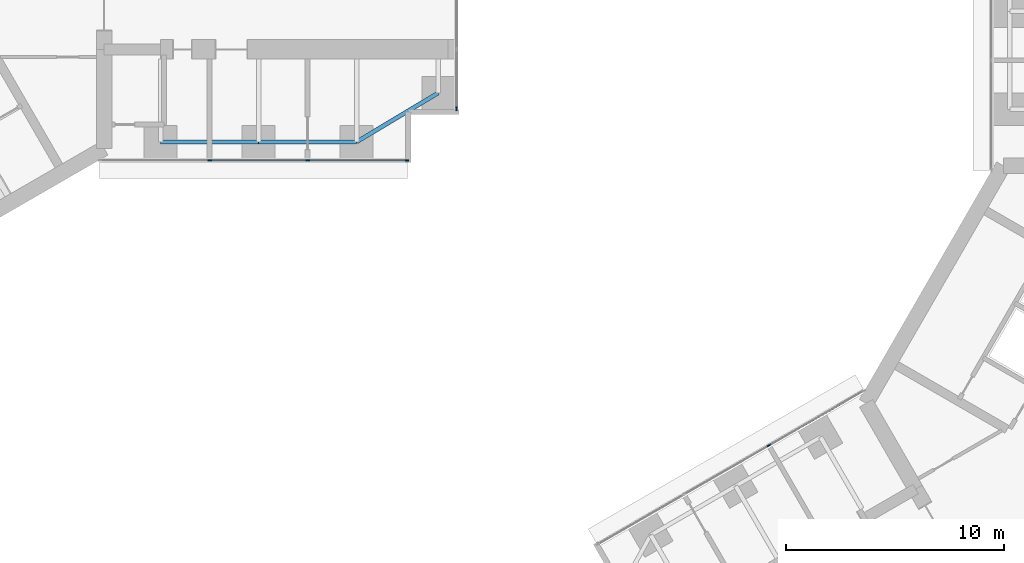
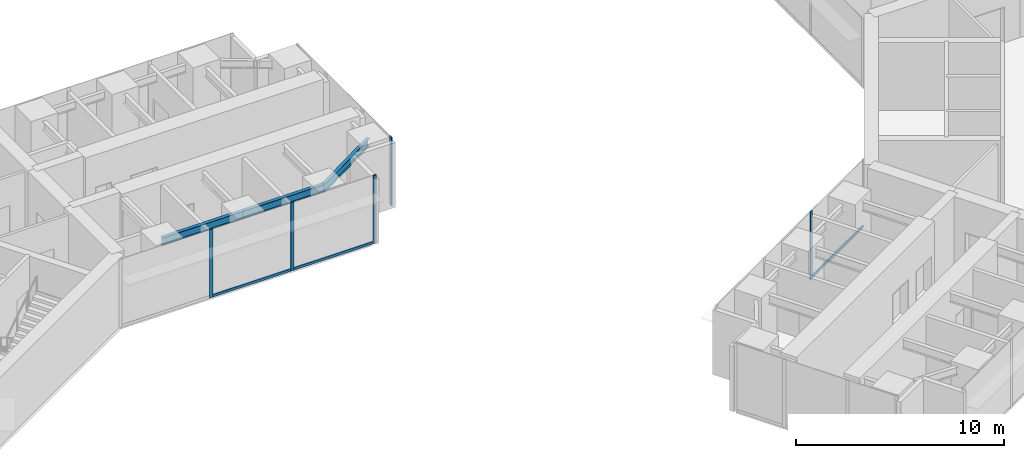
# One storey, part 5 of 22: 8 members, 3 beams, 3 elements without a shape of their own.
"""IFC4 building model written with IfcOpenShell, lengths in metres."""

from ifc_helpers import new_model, si_unit, direction, frame, origin, origin_2d, place, context, subcontext, project, spatial, rectangle, i_section, extrude, material, material_profile, profile_set, type_object, element, aggregate, save


model = new_model("IFC4")

# Units and contexts
model_context = context("Model", 3, precision=1e-05, world=origin(), true_north=direction((0.0, 1.0)))
body_context = subcontext(model_context, "Body", "Model", "MODEL_VIEW")
ifc_project = project(units=[si_unit("LENGTHUNIT", "METRE"), si_unit("AREAUNIT", "SQUARE_METRE"), si_unit("VOLUMEUNIT", "CUBIC_METRE"), si_unit("PLANEANGLEUNIT", "RADIAN"), si_unit("MASSUNIT", "GRAM", prefix="KILO")], contexts=[model_context])

# Site, building, storey
site_placement = place(None, origin())
site = spatial("IfcSite", under=ifc_project, at=site_placement, CompositionType="ELEMENT")
building_placement = place(site_placement, origin())
building = spatial("IfcBuilding", under=site, at=building_placement, Name="Upepo Twin Towers", CompositionType="ELEMENT")
storey_placement = place(building_placement, frame((0.0, 0.0, 40.5)))
storey = spatial("IfcBuildingStorey", under=building, at=storey_placement, Name="L09", CompositionType="ELEMENT", Elevation=40.5)

# Beams
ifc_material_1 = material(Name="Steel S355", Category="steel")
ifc_material_profile_1 = material_profile(ifc_material_1, i_section(OverallWidth=0.1904296875, OverallDepth=0.45703125, WebThickness=0.009033203125, FlangeThickness=0.014404296875, FilletRadius=0.01025390625, at=origin_2d()), Name="UB 457x191x74")
ifc_profile_set_1 = profile_set([ifc_material_profile_1], Name="Steel S355")
beam_type = type_object("IfcBeamType", Name="Beam UB 457x191x74", PredefinedType="BEAM", material=ifc_profile_set_1)
for number, where, z_axis, x_axis, name in (
    (1, (13.5, -6.0, 3.571533203125), (1.0, 0.0, 0.0), (0.0, 1.0, 0.0), "T1 edge beam AR 13.5-18.0"),
    (2, (18.0, -6.0, 3.571533203125), (1.0, 0.0, 0.0), (0.0, 1.0, 0.0), "T1 edge beam AR 18.0-22.5"),
):
    element("IfcBeam", number, at=place(storey_placement, frame(where, z_axis=z_axis, x_axis=x_axis)), inside=storey, type_object=beam_type, Name=name, PredefinedType="BEAM", context=body_context, shape_type="SweptSolid", body=[
        extrude(i_section(OverallWidth=0.1904296875, OverallDepth=0.45703125, WebThickness=0.009033203125, FlangeThickness=0.014404296875, FilletRadius=0.01025390625, at=origin_2d()), origin(), (0.0, 0.0, 1.0), 4.5),
    ])
beam_placement = place(storey_placement, frame((22.5, -6.0, 3.571533203125), z_axis=(0.857492925713, 0.514495755428, 0.0), x_axis=(-0.514495755428, 0.857492925713, 0.0)))
element("IfcBeam", 3, at=beam_placement, inside=storey, type_object=beam_type, Name="T1 nose edge beam AR", PredefinedType="BEAM", context=body_context, shape_type="SweptSolid", body=[
    extrude(i_section(OverallWidth=0.1904296875, OverallDepth=0.45703125, WebThickness=0.009033203125, FlangeThickness=0.014404296875, FilletRadius=0.01025390625, at=origin_2d()), origin(), (0.0, 0.0, 1.0), 4.373291015625),
])

# Curtain wall, members
ifc_material_2 = material(Name="Aluminium and fritted glass", Category="aluminium")
curtain_wall_type = type_object("IfcCurtainWallType", Name="Tower curtain wall TW1, fritted glass", PredefinedType="NOTDEFINED", material=ifc_material_2)
curtain_wall_1_placement = place(storey_placement, origin())
curtain_wall_1 = element("IfcCurtainWall", 4, at=curtain_wall_1_placement, inside=storey, type_object=curtain_wall_type, Name="T1 L09 wing A flank R curtain wall", PredefinedType="NOTDEFINED")
ifc_material_3 = material(Name="Aluminium mullion", Category="aluminium")
ifc_material_profile_2 = material_profile(ifc_material_3, rectangle(XDim=0.06494140625, YDim=0.179931640625, at=origin_2d()), Name="MULLION 65x180")
ifc_profile_set_2 = profile_set([ifc_material_profile_2], Name="Aluminium mullion")
member_type_1 = type_object("IfcMemberType", Name="Mullion 65x180 TW1", PredefinedType="MULLION", material=ifc_profile_set_2)
member_1_placement = place(storey_placement, frame((24.8173828125, -6.85009765625, 0.0), z_axis=(0.0, 0.0, 1.0), x_axis=(0.0, -1.0, 0.0)))
member_1 = element("IfcMember", 5, at=member_1_placement, type_object=member_type_1, Name="T1 L09 wing A flank R curtain wall mullion 1", PredefinedType="MULLION", context=body_context, shape_type="SweptSolid", body=[
    extrude(rectangle(XDim=0.06494140625, YDim=0.179931640625, at=origin_2d()), origin(), (0.0, 0.0, 1.0), 4.0),
])
member_2_placement = place(storey_placement, frame((20.25, -6.85009765625, 0.0), z_axis=(0.0, 0.0, 1.0), x_axis=(0.0, -1.0, 0.0)))
member_2 = element("IfcMember", 6, at=member_2_placement, type_object=member_type_1, Name="T1 L09 wing A flank R curtain wall mullion 2", PredefinedType="MULLION", context=body_context, shape_type="SweptSolid", body=[
    extrude(rectangle(XDim=0.06494140625, YDim=0.179931640625, at=origin_2d()), origin(), (0.0, 0.0, 1.0), 4.0),
])
member_3_placement = place(storey_placement, frame((15.75, -6.85009765625, 0.0), z_axis=(0.0, 0.0, 1.0), x_axis=(0.0, -1.0, 0.0)))
member_3 = element("IfcMember", 7, at=member_3_placement, type_object=member_type_1, Name="T1 L09 wing A flank R curtain wall mullion 3", PredefinedType="MULLION", context=body_context, shape_type="SweptSolid", body=[
    extrude(rectangle(XDim=0.06494140625, YDim=0.179931640625, at=origin_2d()), origin(), (0.0, 0.0, 1.0), 4.0),
])

# Curtain wall, member
curtain_wall_2_placement = place(storey_placement, origin())
curtain_wall_2 = element("IfcCurtainWall", 8, at=curtain_wall_2_placement, inside=storey, type_object=curtain_wall_type, Name="T1 L09 wing A nose curtain wall", PredefinedType="NOTDEFINED")
member_4_placement = place(storey_placement, frame((27.10009765625, -4.467529296875, 0.0), z_axis=(0.0, 0.0, 1.0), x_axis=(-1.0, 0.0, 0.0)))
member_4 = element("IfcMember", 9, at=member_4_placement, type_object=member_type_1, Name="T1 L09 wing A nose curtain wall mullion 1", PredefinedType="MULLION", context=body_context, shape_type="SweptSolid", body=[
    extrude(rectangle(XDim=0.06494140625, YDim=0.179931640625, at=origin_2d()), origin(), (0.0, 0.0, 1.0), 4.0),
])
aggregate(curtain_wall_2, [member_4])

curtain_wall_3_placement = place(storey_placement, origin())
curtain_wall_3 = element("IfcCurtainWall", 10, at=curtain_wall_3_placement, inside=storey, type_object=curtain_wall_type, Name="T2 L09 wing B flank R curtain wall", PredefinedType="NOTDEFINED")
member_5_placement = place(storey_placement, frame((41.43505859375, -19.942626953125, 0.0), z_axis=(0.0, 0.0, 1.0), x_axis=(-0.500000024426, 0.866025389682, 0.0)))
member_5 = element("IfcMember", 11, at=member_5_placement, type_object=member_type_1, Name="T2 L09 wing B flank R curtain wall mullion 3", PredefinedType="MULLION", context=body_context, shape_type="SweptSolid", body=[
    extrude(rectangle(XDim=0.06494140625, YDim=0.179931640625, at=origin_2d()), origin(), (0.0, 0.0, 1.0), 4.0),
])

# Member
ifc_material_4 = material(Name="Aluminium transom", Category="aluminium")
ifc_material_profile_3 = material_profile(ifc_material_4, rectangle(XDim=0.06494140625, YDim=0.14990234375, at=origin_2d()), Name="TRANSOM 65x150")
ifc_profile_set_3 = profile_set([ifc_material_profile_3], Name="Aluminium transom")
member_type_2 = type_object("IfcMemberType", Name="Transom 65x150 TW1", PredefinedType="USERDEFINED", material=ifc_profile_set_3)
member_6_placement = place(storey_placement, frame((24.784912109375, -6.85009765625, 0.074951171875), z_axis=(-1.0, 0.0, 0.0), x_axis=(0.0, -1.0, 0.0)))
member_6 = element("IfcMember", 12, at=member_6_placement, type_object=member_type_2, Name="T1 L09 wing A flank R curtain wall transom 1", ObjectType="TRANSOM", PredefinedType="USERDEFINED", context=body_context, shape_type="SweptSolid", body=[
    extrude(rectangle(XDim=0.06494140625, YDim=0.14990234375, at=origin_2d()), origin(), (0.0, 0.0, 1.0), 4.50244140625),
])

member_7_placement = place(storey_placement, frame((20.217529296875, -6.85009765625, 0.074951171875), z_axis=(-1.0, 0.0, 0.0), x_axis=(0.0, -1.0, 0.0)))
member_7 = element("IfcMember", 13, at=member_7_placement, type_object=member_type_2, Name="T1 L09 wing A flank R curtain wall transom 2", ObjectType="TRANSOM", PredefinedType="USERDEFINED", context=body_context, shape_type="SweptSolid", body=[
    extrude(rectangle(XDim=0.06494140625, YDim=0.14990234375, at=origin_2d()), origin(), (0.0, 0.0, 1.0), 4.43505859375),
])

aggregate(curtain_wall_1, [member_1, member_2, member_3, member_6, member_7])

member_8_placement = place(storey_placement, frame((41.463134765625, -19.926513671875, 0.074951171875), z_axis=(0.866034933967, 0.499983492876, 0.0), x_axis=(-0.499983492876, 0.866034933967, 0.0)))
member_8 = element("IfcMember", 14, at=member_8_placement, type_object=member_type_2, Name="T2 L09 wing B flank R curtain wall transom 3", ObjectType="TRANSOM", PredefinedType="USERDEFINED", context=body_context, shape_type="SweptSolid", body=[
    extrude(rectangle(XDim=0.06494140625, YDim=0.14990234375, at=origin_2d()), origin(), (0.0, 0.0, 1.0), 4.965576171875),
])

aggregate(curtain_wall_3, [member_5, member_8])

save(model, "model.ifc")
